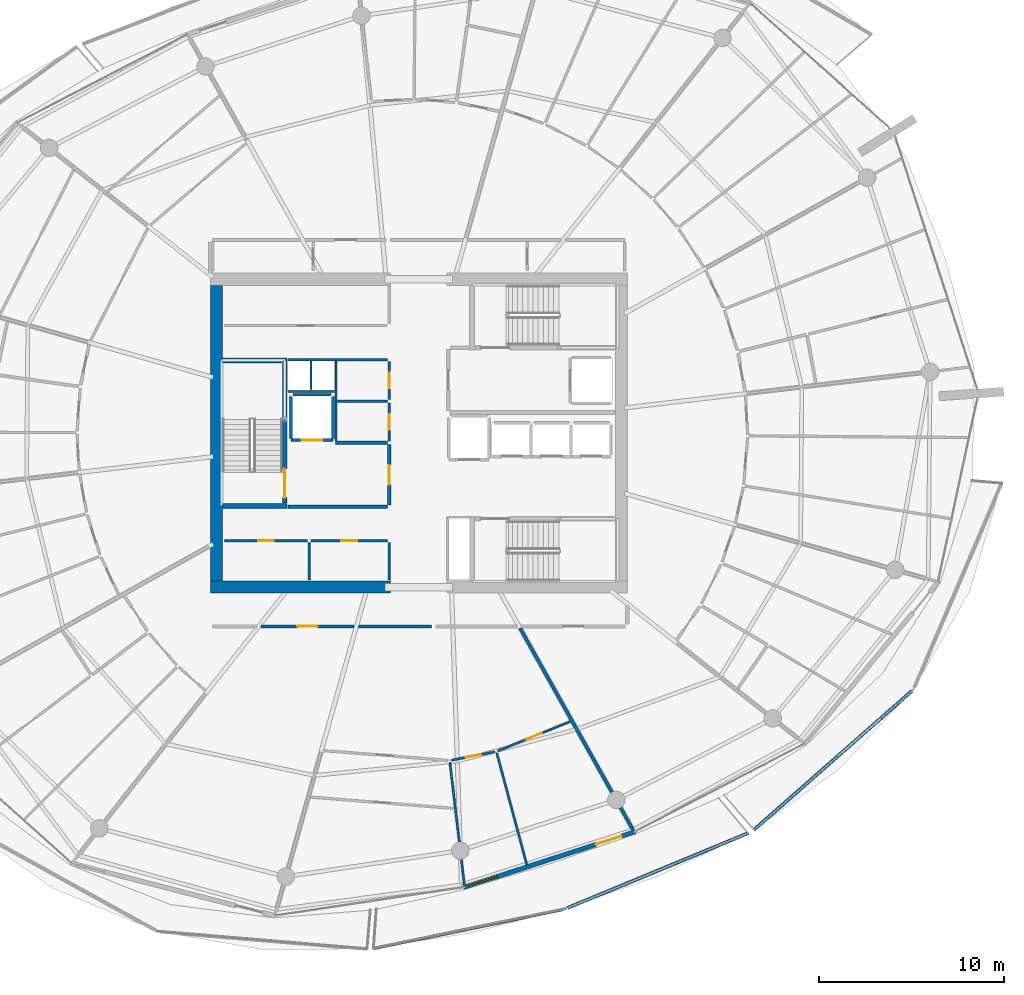
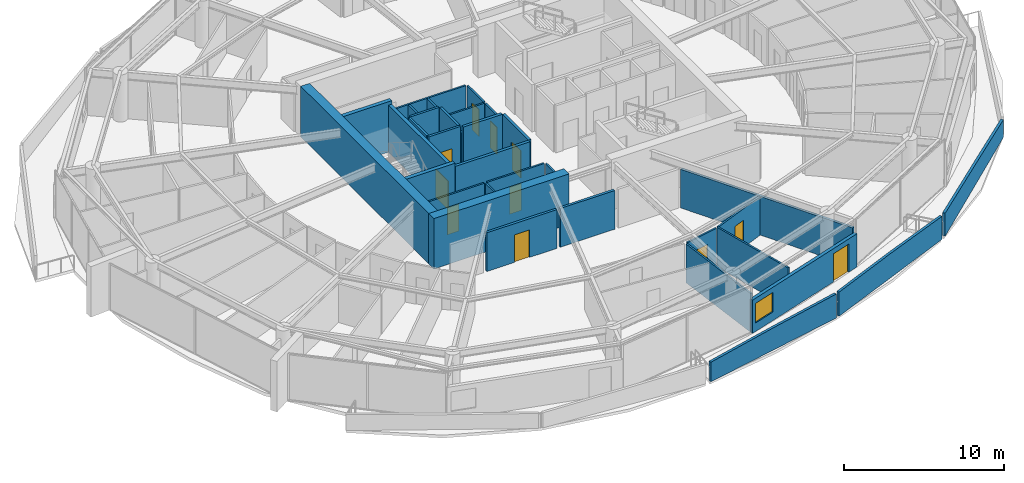
# One storey, part 19 of 31: 34 walls, 11 doors, 1 window, 12 openings.
"""IFC4 building model written with IfcOpenShell, lengths in metres."""

from ifc_helpers import new_model, si_unit, direction, frame, frame_2d, origin, place, context, subcontext, project, spatial, polyline, rectangle, outline, extrude, material, layer, layer_set, type_object, element, fill, save


model = new_model("IFC4")

# Units and contexts
model_context = context("Model", 3, precision=1e-05, world=origin(), true_north=direction((0.0, 1.0)))
body_context = subcontext(model_context, "Body", "Model", "MODEL_VIEW")
ifc_project = project(units=[si_unit("LENGTHUNIT", "METRE"), si_unit("AREAUNIT", "SQUARE_METRE"), si_unit("VOLUMEUNIT", "CUBIC_METRE"), si_unit("PLANEANGLEUNIT", "RADIAN"), si_unit("MASSUNIT", "GRAM", prefix="KILO")], contexts=[model_context])

# Site, building, storey
site_placement = place(None, origin())
site = spatial("IfcSite", under=ifc_project, at=site_placement, CompositionType="ELEMENT")
building_placement = place(site_placement, origin())
building = spatial("IfcBuilding", under=site, at=building_placement, Name="Kazma Halo Residences", CompositionType="ELEMENT")
storey_placement = place(building_placement, frame((0.0, 0.0, 259.800048828125)))
storey = spatial("IfcBuildingStorey", under=building, at=storey_placement, Name="L65", CompositionType="ELEMENT", Elevation=259.800048828125)

# Walls
ifc_material_1 = material(Name="White Concrete C50/60 Balustrade", Category="concrete")
ifc_layer_1 = layer(ifc_material_1, 0.179931640625)
ifc_layer_set_1 = layer_set([ifc_layer_1], Name="White Concrete C50/60 Balustrade")
wall_type_1 = type_object("IfcWallType", Name="WL-BAL-WAVE-180", PredefinedType="PARAPET", material=ifc_layer_set_1)
wall_1_placement = place(storey_placement, frame((45.97900390625, 14.14453125, 0.0), z_axis=(0.0, 0.0, 1.0), x_axis=(0.979472745479, 0.201576637692, 0.0)))
element("IfcWall", 1, at=wall_1_placement, inside=storey, type_object=wall_type_1, Name="L65 white wave balustrade wall SSE.1", PredefinedType="PARAPET", context=body_context, shape_type="SweptSolid", body=[
    extrude(outline(polyline([(0.0, 0.0), (10.475341796875, 0.0), (10.4755859375, 1.83203125), (5.23779296875, 1.696044921875), (0.0, 1.4970703125), (0.0, 0.0)])), frame((0.0, 0.08984375, 0.0), z_axis=(0.0, -1.0, 0.0), x_axis=(1.0, 0.0, 0.0)), (0.0, 0.0, 1.0), 0.179931640625),
])
wall_2_placement = place(storey_placement, frame((56.4677734375, 16.326416015625, 0.0), z_axis=(0.0, 0.0, 1.0), x_axis=(0.92394906856, 0.382515514336, 0.0)))
element("IfcWall", 2, at=wall_2_placement, inside=storey, type_object=wall_type_1, Name="L65 white wave balustrade wall SSE.2", PredefinedType="PARAPET", context=body_context, shape_type="SweptSolid", body=[
    extrude(outline(polyline([(0.0, 0.0), (10.580322265625, 0.0), (10.580322265625, 1.755859375), (5.290283203125, 1.85302734375), (0.0, 1.83203125), (0.0, 0.0)])), frame((0.0, 0.08984375, 0.0), z_axis=(0.0, -1.0, 0.0), x_axis=(1.0, 0.0, 0.0)), (0.0, 0.0, 1.0), 0.179931640625),
])
wall_3_placement = place(storey_placement, frame((66.54833984375, 20.54931640625, 0.0), z_axis=(0.0, 0.0, 1.0), x_axis=(0.750904489888, 0.660410816891, 0.0)))
element("IfcWall", 3, at=wall_3_placement, inside=storey, type_object=wall_type_1, Name="L65 white wave balustrade wall SE.1", PredefinedType="PARAPET", context=body_context, shape_type="SweptSolid", body=[
    extrude(outline(polyline([(0.0, 0.0), (11.385009765625, 0.0), (11.385009765625, 1.347900390625), (5.6923828125, 1.56201171875), (0.0, 1.7470703125), (0.0, 0.0)])), frame((0.0, 0.08984375, 0.0), z_axis=(0.0, -1.0, 0.0), x_axis=(1.0, 0.0, 0.0)), (0.0, 0.0, 1.0), 0.179931640625),
])
ifc_material_2 = material(Name="Concrete C60/75", Category="concrete")
ifc_layer_2 = layer(ifc_material_2, 0.64990234375)
ifc_layer_set_2 = layer_set([ifc_layer_2], Name="Concrete C60/75")
wall_type_2 = type_object("IfcWallType", Name="WL-CORE-650", PredefinedType="SHEAR", material=ifc_layer_set_2)
wall_4_placement = place(storey_placement, frame((37.14990234375, 33.675048828125, 0.0), z_axis=(0.0, 0.0, 1.0), x_axis=(1.0, 0.0, 0.0)))
element("IfcWall", 4, at=wall_4_placement, inside=storey, type_object=wall_type_2, Name="L65 central core shear wall SW", PredefinedType="SHEAR", context=body_context, shape_type="SweptSolid", body=[
    extrude(rectangle(XDim=9.75, YDim=0.64990234375, at=frame_2d((4.875, 0.0))), origin(), (0.0, 0.0, 1.0), 3.849853515625),
])
wall_5_placement = place(storey_placement, frame((37.47509765625, 34.0, 0.0), z_axis=(0.0, 0.0, 1.0), x_axis=(0.0, 1.0, 0.0)))
element("IfcWall", 5, at=wall_5_placement, inside=storey, type_object=wall_type_2, Name="L65 central core shear wall W", PredefinedType="SHEAR", context=body_context, shape_type="SweptSolid", body=[
    extrude(rectangle(XDim=16.0, YDim=0.64990234375, at=frame_2d((8.0, 0.0))), origin(), (0.0, 0.0, 1.0), 3.849853515625),
])
ifc_layer_3 = layer(ifc_material_2, 0.280029296875)
ifc_layer_set_3 = layer_set([ifc_layer_3], Name="Concrete C60/75")
wall_type_3 = type_object("IfcWallType", Name="WL-CORE-ST-280", PredefinedType="SHEAR", material=ifc_layer_set_3)
for number, where, z_axis, x_axis, name in (
    (6, (37.800048828125, 38.06005859375, 0.0), (0.0, 0.0, 1.0), (1.0, 0.0, 0.0), "L65 stairwell bearing wall ST01-S"),
    (7, (37.800048828125, 45.93994140625, 0.0), (0.0, 0.0, 1.0), (1.0, 0.0, 0.0), "L65 stairwell bearing wall ST01-N"),
):
    element("IfcWall", number, at=place(storey_placement, frame(where, z_axis=z_axis, x_axis=x_axis)), inside=storey, type_object=wall_type_3, Name=name, PredefinedType="SHEAR", context=body_context, shape_type="SweptSolid", body=[
        extrude(rectangle(XDim=3.5, YDim=0.280029296875, at=frame_2d((1.75, 0.0))), origin(), (0.0, 0.0, 1.0), 3.849853515625),
    ])
ifc_material_3 = material(Name="Acoustic Twin-Stud Gypsum")
ifc_layer_4 = layer(ifc_material_3, 0.179931640625)
ifc_layer_set_4 = layer_set([ifc_layer_4], Name="Acoustic Twin-Stud Gypsum")
wall_type_4 = type_object("IfcWallType", Name="WL-DEM-180", PredefinedType="PARTITIONING", material=ifc_layer_set_4)
wall_6_placement = place(storey_placement, frame((53.906005859375, 31.4541015625, 0.0), z_axis=(0.0, 0.0, 1.0), x_axis=(0.48862654941, -0.872493034477, 0.0)))
element("IfcWall", 8, at=wall_6_placement, inside=storey, type_object=wall_type_4, Name="L65 apartment demising radial wall 12", PredefinedType="PARTITIONING", context=body_context, shape_type="SweptSolid", body=[
    extrude(rectangle(XDim=12.507568359375, YDim=0.179931640625, at=frame_2d((6.25390625, 0.0))), origin(), (0.0, 0.0, 1.0), 2.95703125),
])

# Wall, opening, door
wall_7_placement = place(storey_placement, frame((39.8818359375, 31.550048828125, 0.0), z_axis=(0.0, 0.0, 1.0), x_axis=(1.0, 0.0, 0.0)))
wall_7 = element("IfcWall", 9, at=wall_7_placement, inside=storey, type_object=wall_type_4, Name="L65 Apartment 2 entrance corridor wall", PredefinedType="PARTITIONING", context=body_context, shape_type="SweptSolid", body=[
    extrude(rectangle(XDim=5.051025390625, YDim=0.179931640625, at=frame_2d((2.525390625, 0.0))), origin(), (0.0, 0.0, 1.0), 2.95703125),
])
opening_1_placement = place(wall_7_placement, frame((1.975341796875, 0.0, 0.0)))
opening_1 = element("IfcOpeningElement", 10, at=opening_1_placement, cuts=wall_7, Name="Opening DA-1100", PredefinedType="OPENING", context=body_context, shape_type="SweptSolid", body=[
    extrude(rectangle(XDim=1.10009765625, YDim=2.10009765625, at=frame_2d((0.550048828125, 1.050048828125))), frame((0.0, 0.099853515625, 0.0), z_axis=(0.0, -1.0, 0.0), x_axis=(1.0, 0.0, 0.0)), (0.0, 0.0, 1.0), 0.199951171875),
])
ifc_material_4 = material(Name="Acoustic Walnut Fire Leaf")
door_type_1 = type_object("IfcDoorType", Name="DR-FD60-1100", OperationType="NOTDEFINED", PredefinedType="DOOR", material=ifc_material_4)
door_1_placement = place(opening_1_placement, origin())
door_1 = element("IfcDoor", 11, at=door_1_placement, inside=storey, type_object=door_type_1, Name="L65 Apartment 2 entrance fire door", OperationType="SINGLE_SWING_RIGHT", OverallHeight=2.10009765625, OverallWidth=1.10009765625, PredefinedType="DOOR", context=body_context, shape_type="SweptSolid", body=[
    extrude(rectangle(XDim=1.10009765625, YDim=2.10009765625, at=frame_2d((0.550048828125, 1.050048828125))), frame((0.0, 0.02490234375, 0.0), z_axis=(0.0, -1.0, 0.0), x_axis=(1.0, 0.0, 0.0)), (0.0, 0.0, 1.0), 0.050048828125),
])
fill(opening_1, door_1)

# Wall
wall_8_placement = place(storey_placement, frame((45.1728515625, 31.550048828125, 0.0), z_axis=(0.0, 0.0, 1.0), x_axis=(1.0, 0.0, 0.0)))
element("IfcWall", 12, at=wall_8_placement, inside=storey, type_object=wall_type_4, Name="L65 Apartment 2 inner wall 10", PredefinedType="PARTITIONING", context=body_context, shape_type="SweptSolid", body=[
    extrude(rectangle(XDim=3.94384765625, YDim=0.179931640625, at=frame_2d((1.971923828125, 0.0))), origin(), (0.0, 0.0, 1.0), 2.95703125),
])

# Wall, openings, door, window
ifc_material_5 = material(Name="Insulated Pale-Metal Composite Wall")
ifc_layer_5 = layer(ifc_material_5, 0.239990234375)
ifc_layer_set_5 = layer_set([ifc_layer_5], Name="Insulated Pale-Metal Composite Wall")
wall_type_5 = type_object("IfcWallType", Name="WL-EXT-HOST-240", PredefinedType="SOLIDWALL", material=ifc_layer_set_5)
wall_9_placement = place(storey_placement, frame((50.85791015625, 17.436279296875, 0.0), z_axis=(0.0, 0.0, 1.0), x_axis=(0.951055974609, 0.309018661507, 0.0)))
wall_9 = element("IfcWall", 13, at=wall_9_placement, inside=storey, type_object=wall_type_5, Name="L65 exterior terrace-access wall B12", PredefinedType="SOLIDWALL", context=body_context, shape_type="SweptSolid", body=[
    extrude(rectangle(XDim=9.745361328125, YDim=0.239990234375, at=frame_2d((4.87255859375, 0.0))), origin(), (0.0, 0.0, 1.0), 2.5400390625),
])
opening_2_placement = place(wall_9_placement, frame((7.525390625, 0.0, 0.0)))
opening_2 = element("IfcOpeningElement", 14, at=opening_2_placement, cuts=wall_9, Name="Opening DTR-1600", PredefinedType="OPENING", context=body_context, shape_type="SweptSolid", body=[
    extrude(rectangle(XDim=1.449951171875, YDim=2.14990234375, at=frame_2d((0.72509765625, 1.074951171875))), frame((0.0, 0.1298828125, 0.0), z_axis=(0.0, -1.0, 0.0), x_axis=(1.0, 0.0, 0.0)), (0.0, 0.0, 1.0), 0.260009765625),
])
opening_3_placement = place(wall_9_placement, frame((0.280029296875, 0.0, 0.64990234375)))
opening_3 = element("IfcOpeningElement", 15, at=opening_3_placement, cuts=wall_9, Name="Opening W-1800", PredefinedType="OPENING", context=body_context, shape_type="SweptSolid", body=[
    extrude(rectangle(XDim=1.60009765625, YDim=1.5, at=frame_2d((0.800048828125, 0.75))), frame((0.0, 0.1298828125, 0.0), z_axis=(0.0, -1.0, 0.0), x_axis=(1.0, 0.0, 0.0)), (0.0, 0.0, 1.0), 0.260009765625),
])
ifc_material_6 = material(Name="Aluminium AW-6063 T6 Double-Glazed Terrace Door", Category="aluminium")
door_type_2 = type_object("IfcDoorType", Name="DR-EXT-TERR-1600", OperationType="NOTDEFINED", PredefinedType="DOOR", material=ifc_material_6)
door_2_placement = place(opening_2_placement, origin())
door_2 = element("IfcDoor", 16, at=door_2_placement, inside=storey, type_object=door_type_2, Name="L65 B12 balcony terrace door", OperationType="DOUBLE_DOOR_SLIDING", OverallHeight=2.14990234375, OverallWidth=1.449951171875, PredefinedType="DOOR", context=body_context, shape_type="SweptSolid", body=[
    extrude(rectangle(XDim=1.449951171875, YDim=2.14990234375, at=frame_2d((0.72509765625, 1.074951171875))), frame((0.0, 0.02490234375, 0.0), z_axis=(0.0, -1.0, 0.0), x_axis=(1.0, 0.0, 0.0)), (0.0, 0.0, 1.0), 0.050048828125),
])
fill(opening_2, door_2)
ifc_material_7 = material(Name="Clear Triple-Silver Low-E Glass in Aluminium AW-6063 T6 Frame", Category="aluminium")
window_type = type_object("IfcWindowType", Name="WIN-RES-1800", PartitioningType="DOUBLE_PANEL_VERTICAL", PredefinedType="WINDOW", material=ifc_material_7)
window_placement = place(opening_3_placement, origin())
window = element("IfcWindow", 17, at=window_placement, inside=storey, type_object=window_type, Name="L65 B12 apartment window", OverallHeight=1.5, OverallWidth=1.60009765625, PartitioningType="SINGLE_PANEL", PredefinedType="WINDOW", context=body_context, shape_type="SweptSolid", body=[
    extrude(rectangle(XDim=1.60009765625, YDim=1.5, at=frame_2d((0.800048828125, 0.75))), frame((0.0, 0.030029296875, 0.0), z_axis=(0.0, -1.0, 0.0), x_axis=(1.0, 0.0, 0.0)), (0.0, 0.0, 1.0), 0.06005859375),
])
fill(opening_3, window)

# Wall, opening, door
ifc_material_8 = material(Name="Fire-Rated Blockwork Masonry", Category="masonry")
ifc_layer_6 = layer(ifc_material_8, 0.199951171875)
ifc_layer_set_6 = layer_set([ifc_layer_6], Name="Fire-Rated Blockwork Masonry")
wall_type_6 = type_object("IfcWallType", Name="WL-FLB-200", PredefinedType="PARTITIONING", material=ifc_layer_set_6)
wall_10_placement = place(storey_placement, frame((43.780029296875, 41.6201171875, 0.0), z_axis=(0.0, 0.0, 1.0), x_axis=(-1.0, 0.0, 0.0)))
wall_10 = element("IfcWall", 18, at=wall_10_placement, inside=storey, type_object=wall_type_6, Name="L65 lift shaft FL-01 front wall", PredefinedType="PARTITIONING", context=body_context, shape_type="SweptSolid", body=[
    extrude(rectangle(XDim=2.260009765625, YDim=0.159912109375, at=frame_2d((1.1298828125, 0.0))), origin(), (0.0, 0.0, 1.0), 3.58984375),
])
opening_4_placement = place(wall_10_placement, frame((0.580078125, 0.0, 0.0)))
opening_4 = element("IfcOpeningElement", 19, at=opening_4_placement, cuts=wall_10, Name="Opening LD-FL-01", PredefinedType="OPENING", context=body_context, shape_type="SweptSolid", body=[
    extrude(rectangle(XDim=1.10009765625, YDim=2.10009765625, at=frame_2d((0.550048828125, 1.050048828125))), frame((0.0, 0.08984375, 0.0), z_axis=(0.0, -1.0, 0.0), x_axis=(1.0, 0.0, 0.0)), (0.0, 0.0, 1.0), 0.179931640625),
])
ifc_material_9 = material(Name="Stainless Steel Fire-Rated", Category="steel")
door_type_3 = type_object("IfcDoorType", Name="DR-LIFT-SLD-1100", OperationType="DOUBLE_DOOR_SLIDING", PredefinedType="DOOR", material=ifc_material_9)
door_3_placement = place(opening_4_placement, origin())
door_3 = element("IfcDoor", 20, at=door_3_placement, inside=storey, type_object=door_type_3, Name="L65 lift FL-01 sliding landing door", OperationType="DOUBLE_DOOR_SLIDING", OverallHeight=2.10009765625, OverallWidth=1.10009765625, PredefinedType="DOOR", context=body_context, shape_type="SweptSolid", body=[
    extrude(rectangle(XDim=1.10009765625, YDim=2.10009765625, at=frame_2d((0.550048828125, 1.050048828125))), frame((0.0, 0.02490234375, 0.0), z_axis=(0.0, -1.0, 0.0), x_axis=(1.0, 0.0, 0.0)), (0.0, 0.0, 1.0), 0.050048828125),
])
fill(opening_4, door_3)

# Walls
for number, where, z_axis, x_axis, name in (
    (21, (43.780029296875, 41.719970703125, 0.0), (0.0, 0.0, 1.0), (0.0, 1.0, 0.0), "L65 lift shaft FL-01 side wall E"),
    (22, (41.52001953125, 41.719970703125, 0.0), (0.0, 0.0, 1.0), (0.0, 1.0, 0.0), "L65 lift shaft FL-01 side wall W"),
):
    element("IfcWall", number, at=place(storey_placement, frame(where, z_axis=z_axis, x_axis=x_axis)), inside=storey, type_object=wall_type_6, Name=name, PredefinedType="PARTITIONING", context=body_context, shape_type="SweptSolid", body=[
        extrude(rectangle(XDim=2.260009765625, YDim=0.159912109375, at=frame_2d((1.1298828125, 0.0))), origin(), (0.0, 0.0, 1.0), 3.58984375),
    ])
wall_11_placement = place(storey_placement, frame((41.6201171875, 44.080078125, 0.0), z_axis=(0.0, 0.0, 1.0), x_axis=(1.0, 0.0, 0.0)))
element("IfcWall", 23, at=wall_11_placement, inside=storey, type_object=wall_type_6, Name="L65 lift shaft FL-01 side wall N", PredefinedType="PARTITIONING", context=body_context, shape_type="SweptSolid", body=[
    extrude(rectangle(XDim=2.059814453125, YDim=0.159912109375, at=frame_2d((1.02978515625, 0.0))), origin(), (0.0, 0.0, 1.0), 3.58984375),
])
wall_12_placement = place(storey_placement, frame((41.35009765625, 38.02001953125, 0.0), z_axis=(0.0, 0.0, 1.0), x_axis=(1.0, 0.0, 0.0)))
element("IfcWall", 24, at=wall_12_placement, inside=storey, type_object=wall_type_6, Name="L65 west firefighting lobby south smoke wall", PredefinedType="PARTITIONING", context=body_context, shape_type="SweptSolid", body=[
    extrude(rectangle(XDim=5.369873046875, YDim=0.199951171875, at=frame_2d((2.68505859375, 0.0))), origin(), (0.0, 0.0, 1.0), 3.58984375),
])
wall_13_placement = place(storey_placement, frame((43.919921875, 41.47998046875, 0.0), z_axis=(0.0, 0.0, 1.0), x_axis=(1.0, 0.0, 0.0)))
element("IfcWall", 25, at=wall_13_placement, inside=storey, type_object=wall_type_6, Name="L65 west firefighting lobby north smoke wall", PredefinedType="PARTITIONING", context=body_context, shape_type="SweptSolid", body=[
    extrude(rectangle(XDim=2.800048828125, YDim=0.199951171875, at=frame_2d((1.39990234375, 0.0))), origin(), (0.0, 0.0, 1.0), 3.58984375),
])

# Wall, opening, door
wall_14_placement = place(storey_placement, frame((46.820068359375, 38.1201171875, 0.0), z_axis=(0.0, 0.0, 1.0), x_axis=(0.0, 1.0, 0.0)))
wall_14 = element("IfcWall", 26, at=wall_14_placement, inside=storey, type_object=wall_type_6, Name="L65 west firefighting lobby smoke wall", PredefinedType="PARTITIONING", context=body_context, shape_type="SweptSolid", body=[
    extrude(rectangle(XDim=3.259765625, YDim=0.199951171875, at=frame_2d((1.6298828125, 0.0))), origin(), (0.0, 0.0, 1.0), 3.58984375),
])
opening_5_placement = place(wall_14_placement, frame((1.10498046875, 0.0, 0.0)))
opening_5 = element("IfcOpeningElement", 27, at=opening_5_placement, cuts=wall_14, Name="Opening D-FLW", PredefinedType="OPENING", context=body_context, shape_type="SweptSolid", body=[
    extrude(rectangle(XDim=1.050048828125, YDim=2.10009765625, at=frame_2d((0.52490234375, 1.050048828125))), frame((0.0, 0.10986328125, 0.0), z_axis=(0.0, -1.0, 0.0), x_axis=(1.0, 0.0, 0.0)), (0.0, 0.0, 1.0), 0.219970703125),
])
ifc_material_10 = material(Name="Fire-Rated Steel Leaf", Category="steel")
door_type_4 = type_object("IfcDoorType", Name="DR-FD90-1050", OperationType="NOTDEFINED", PredefinedType="DOOR", material=ifc_material_10)
door_4_placement = place(opening_5_placement, origin())
door_4 = element("IfcDoor", 28, at=door_4_placement, inside=storey, type_object=door_type_4, Name="L65 west firefighting lobby smoke door", OperationType="SINGLE_SWING_RIGHT", OverallHeight=2.10009765625, OverallWidth=1.050048828125, PredefinedType="DOOR", context=body_context, shape_type="SweptSolid", body=[
    extrude(rectangle(XDim=1.050048828125, YDim=2.10009765625, at=frame_2d((0.52490234375, 1.050048828125))), frame((0.0, 0.02490234375, 0.0), z_axis=(0.0, -1.0, 0.0), x_axis=(1.0, 0.0, 0.0)), (0.0, 0.0, 1.0), 0.050048828125),
])
fill(opening_5, door_4)

# Walls
ifc_material_11 = material(Name="Gypsum Plasterboard Partition")
ifc_layer_7 = layer(ifc_material_11, 0.125)
ifc_layer_set_7 = layer_set([ifc_layer_7], Name="Gypsum Plasterboard Partition")
wall_type_7 = type_object("IfcWallType", Name="WL-PART-125", PredefinedType="PARTITIONING", material=ifc_layer_set_7)
for number, where, z_axis, x_axis, name in (
    (29, (46.820068359375, 34.050048828125, 0.0), (0.0, 0.0, 1.0), (0.0, 1.0, 0.0), "L65 reclaimed south east wall"),
    (30, (42.5, 34.050048828125, 0.0), (0.0, 0.0, 1.0), (0.0, 1.0, 0.0), "L65 reclaimed south divider wall"),
):
    element("IfcWall", number, at=place(storey_placement, frame(where, z_axis=z_axis, x_axis=x_axis)), inside=storey, type_object=wall_type_7, Name=name, PredefinedType="PARTITIONING", context=body_context, shape_type="SweptSolid", body=[
        extrude(rectangle(XDim=2.030029296875, YDim=0.125, at=frame_2d((1.01513671875, 0.0))), origin(), (0.0, 0.0, 1.0), 3.030029296875),
    ])

# Wall, opening, door
wall_15_placement = place(storey_placement, frame((37.919921875, 36.179931640625, 0.0), z_axis=(0.0, 0.0, 1.0), x_axis=(1.0, 0.0, 0.0)))
wall_15 = element("IfcWall", 31, at=wall_15_placement, inside=storey, type_object=wall_type_7, Name="L65 reclaimed south W front wall", PredefinedType="PARTITIONING", context=body_context, shape_type="SweptSolid", body=[
    extrude(rectangle(XDim=4.47998046875, YDim=0.125, at=frame_2d((2.239990234375, 0.0))), origin(), (0.0, 0.0, 1.0), 3.030029296875),
])
opening_6_placement = place(wall_15_placement, frame((1.81494140625, 0.0, 0.0)))
opening_6 = element("IfcOpeningElement", 32, at=opening_6_placement, cuts=wall_15, Name="Opening DS-850", PredefinedType="OPENING", context=body_context, shape_type="SweptSolid", body=[
    extrude(rectangle(XDim=0.85009765625, YDim=2.06005859375, at=frame_2d((0.425048828125, 1.030029296875))), frame((0.0, 0.072509765625, 0.0), z_axis=(0.0, -1.0, 0.0), x_axis=(1.0, 0.0, 0.0)), (0.0, 0.0, 1.0), 0.14501953125),
])
ifc_material_12 = material(Name="Painted Steel Access Leaf", Category="steel")
door_type_5 = type_object("IfcDoorType", Name="DR-SVC-850", OperationType="NOTDEFINED", PredefinedType="DOOR", material=ifc_material_12)
door_5_placement = place(opening_6_placement, origin())
door_5 = element("IfcDoor", 33, at=door_5_placement, inside=storey, type_object=door_type_5, Name="L65 reclaimed south W door", OperationType="SINGLE_SWING_RIGHT", OverallHeight=2.06005859375, OverallWidth=0.85009765625, PredefinedType="DOOR", context=body_context, shape_type="SweptSolid", body=[
    extrude(rectangle(XDim=0.85009765625, YDim=2.06005859375, at=frame_2d((0.425048828125, 1.030029296875))), frame((0.0, 0.02490234375, 0.0), z_axis=(0.0, -1.0, 0.0), x_axis=(1.0, 0.0, 0.0)), (0.0, 0.0, 1.0), 0.050048828125),
])
fill(opening_6, door_5)

wall_16_placement = place(storey_placement, frame((42.60009765625, 36.179931640625, 0.0), z_axis=(0.0, 0.0, 1.0), x_axis=(1.0, 0.0, 0.0)))
wall_16 = element("IfcWall", 34, at=wall_16_placement, inside=storey, type_object=wall_type_7, Name="L65 reclaimed south E front wall", PredefinedType="PARTITIONING", context=body_context, shape_type="SweptSolid", body=[
    extrude(rectangle(XDim=4.119873046875, YDim=0.125, at=frame_2d((2.06005859375, 0.0))), origin(), (0.0, 0.0, 1.0), 3.030029296875),
])
opening_7_placement = place(wall_16_placement, frame((1.635009765625, 0.0, 0.0)))
opening_7 = element("IfcOpeningElement", 35, at=opening_7_placement, cuts=wall_16, Name="Opening DS-850", PredefinedType="OPENING", context=body_context, shape_type="SweptSolid", body=[
    extrude(rectangle(XDim=0.85009765625, YDim=2.06005859375, at=frame_2d((0.425048828125, 1.030029296875))), frame((0.0, 0.072509765625, 0.0), z_axis=(0.0, -1.0, 0.0), x_axis=(1.0, 0.0, 0.0)), (0.0, 0.0, 1.0), 0.14501953125),
])
door_6_placement = place(opening_7_placement, origin())
door_6 = element("IfcDoor", 36, at=door_6_placement, inside=storey, type_object=door_type_5, Name="L65 reclaimed south E door", OperationType="SINGLE_SWING_LEFT", OverallHeight=2.06005859375, OverallWidth=0.85009765625, PredefinedType="DOOR", context=body_context, shape_type="SweptSolid", body=[
    extrude(rectangle(XDim=0.85009765625, YDim=2.06005859375, at=frame_2d((0.425048828125, 1.030029296875))), frame((0.0, 0.02490234375, 0.0), z_axis=(0.0, -1.0, 0.0), x_axis=(1.0, 0.0, 0.0)), (0.0, 0.0, 1.0), 0.050048828125),
])
fill(opening_7, door_6)

# Walls
wall_17_placement = place(storey_placement, frame((41.360107421875, 45.97998046875, 0.0), z_axis=(0.0, 0.0, 1.0), x_axis=(1.0, 0.0, 0.0)))
element("IfcWall", 37, at=wall_17_placement, inside=storey, type_object=wall_type_7, Name="L65 core north riser wall", PredefinedType="PARTITIONING", context=body_context, shape_type="SweptSolid", body=[
    extrude(rectangle(XDim=5.35986328125, YDim=0.125, at=frame_2d((2.679931640625, 0.0))), origin(), (0.0, 0.0, 1.0), 3.030029296875),
])
wall_18_placement = place(storey_placement, frame((41.360107421875, 44.260009765625, 0.0), z_axis=(0.0, 0.0, 1.0), x_axis=(1.0, 0.0, 0.0)))
element("IfcWall", 38, at=wall_18_placement, inside=storey, type_object=wall_type_7, Name="L65 core riser south wall", PredefinedType="PARTITIONING", context=body_context, shape_type="SweptSolid", body=[
    extrude(rectangle(XDim=2.5, YDim=0.125, at=frame_2d((1.25, 0.0))), origin(), (0.0, 0.0, 1.0), 3.030029296875),
])
wall_19_placement = place(storey_placement, frame((42.60009765625, 44.35009765625, 0.0), z_axis=(0.0, 0.0, 1.0), x_axis=(0.0, 1.0, 0.0)))
element("IfcWall", 39, at=wall_19_placement, inside=storey, type_object=wall_type_7, Name="L65 core riser divider wall", PredefinedType="PARTITIONING", context=body_context, shape_type="SweptSolid", body=[
    extrude(rectangle(XDim=1.5498046875, YDim=0.125, at=frame_2d((0.77490234375, 0.0))), origin(), (0.0, 0.0, 1.0), 3.030029296875),
])
wall_20_placement = place(storey_placement, frame((43.949951171875, 41.580078125, 0.0), z_axis=(0.0, 0.0, 1.0), x_axis=(0.0, 1.0, 0.0)))
element("IfcWall", 40, at=wall_20_placement, inside=storey, type_object=wall_type_7, Name="L65 core service west wall", PredefinedType="PARTITIONING", context=body_context, shape_type="SweptSolid", body=[
    extrude(rectangle(XDim=4.31982421875, YDim=0.125, at=frame_2d((2.159912109375, 0.0))), origin(), (0.0, 0.0, 1.0), 3.030029296875),
])
wall_21_placement = place(storey_placement, frame((44.030029296875, 43.72998046875, 0.0), z_axis=(0.0, 0.0, 1.0), x_axis=(1.0, 0.0, 0.0)))
element("IfcWall", 41, at=wall_21_placement, inside=storey, type_object=wall_type_7, Name="L65 switch/IDF divider", PredefinedType="PARTITIONING", context=body_context, shape_type="SweptSolid", body=[
    extrude(rectangle(XDim=2.7099609375, YDim=0.125, at=frame_2d((1.35498046875, 0.0))), origin(), (0.0, 0.0, 1.0), 3.030029296875),
])

# Wall, opening, door
wall_22_placement = place(storey_placement, frame((46.820068359375, 41.580078125, 0.0), z_axis=(0.0, 0.0, 1.0), x_axis=(0.0, 1.0, 0.0)))
wall_22 = element("IfcWall", 42, at=wall_22_placement, inside=storey, type_object=wall_type_7, Name="L65 electrical switch room east wall", PredefinedType="PARTITIONING", context=body_context, shape_type="SweptSolid", body=[
    extrude(rectangle(XDim=2.0498046875, YDim=0.125, at=frame_2d((1.02490234375, 0.0))), origin(), (0.0, 0.0, 1.0), 3.030029296875),
])
opening_8_placement = place(wall_22_placement, frame((0.60009765625, 0.0, 0.0)))
opening_8 = element("IfcOpeningElement", 43, at=opening_8_placement, cuts=wall_22, Name="Opening DS-850", PredefinedType="OPENING", context=body_context, shape_type="SweptSolid", body=[
    extrude(rectangle(XDim=0.85009765625, YDim=2.06005859375, at=frame_2d((0.425048828125, 1.030029296875))), frame((0.0, 0.072509765625, 0.0), z_axis=(0.0, -1.0, 0.0), x_axis=(1.0, 0.0, 0.0)), (0.0, 0.0, 1.0), 0.14501953125),
])
door_7_placement = place(opening_8_placement, origin())
door_7 = element("IfcDoor", 44, at=door_7_placement, inside=storey, type_object=door_type_5, Name="L65 electrical switch room door", OperationType="SINGLE_SWING_RIGHT", OverallHeight=2.06005859375, OverallWidth=0.85009765625, PredefinedType="DOOR", context=body_context, shape_type="SweptSolid", body=[
    extrude(rectangle(XDim=0.85009765625, YDim=2.06005859375, at=frame_2d((0.425048828125, 1.030029296875))), frame((0.0, 0.02490234375, 0.0), z_axis=(0.0, -1.0, 0.0), x_axis=(1.0, 0.0, 0.0)), (0.0, 0.0, 1.0), 0.050048828125),
])
fill(opening_8, door_7)

wall_23_placement = place(storey_placement, frame((46.820068359375, 43.830078125, 0.0), z_axis=(0.0, 0.0, 1.0), x_axis=(0.0, 1.0, 0.0)))
wall_23 = element("IfcWall", 45, at=wall_23_placement, inside=storey, type_object=wall_type_7, Name="L65 telecom IDF room east wall", PredefinedType="PARTITIONING", context=body_context, shape_type="SweptSolid", body=[
    extrude(rectangle(XDim=2.0498046875, YDim=0.125, at=frame_2d((1.02490234375, 0.0))), origin(), (0.0, 0.0, 1.0), 3.030029296875),
])
opening_9_placement = place(wall_23_placement, frame((0.60009765625, 0.0, 0.0)))
opening_9 = element("IfcOpeningElement", 46, at=opening_9_placement, cuts=wall_23, Name="Opening DS-850", PredefinedType="OPENING", context=body_context, shape_type="SweptSolid", body=[
    extrude(rectangle(XDim=0.85009765625, YDim=2.06005859375, at=frame_2d((0.425048828125, 1.030029296875))), frame((0.0, 0.072509765625, 0.0), z_axis=(0.0, -1.0, 0.0), x_axis=(1.0, 0.0, 0.0)), (0.0, 0.0, 1.0), 0.14501953125),
])
door_8_placement = place(opening_9_placement, origin())
door_8 = element("IfcDoor", 47, at=door_8_placement, inside=storey, type_object=door_type_5, Name="L65 telecom IDF room door", OperationType="SINGLE_SWING_LEFT", OverallHeight=2.06005859375, OverallWidth=0.85009765625, PredefinedType="DOOR", context=body_context, shape_type="SweptSolid", body=[
    extrude(rectangle(XDim=0.85009765625, YDim=2.06005859375, at=frame_2d((0.425048828125, 1.030029296875))), frame((0.0, 0.02490234375, 0.0), z_axis=(0.0, -1.0, 0.0), x_axis=(1.0, 0.0, 0.0)), (0.0, 0.0, 1.0), 0.050048828125),
])
fill(opening_9, door_8)

# Walls
wall_24_placement = place(storey_placement, frame((50.106689453125, 24.2001953125, 0.0), z_axis=(0.0, 0.0, 1.0), x_axis=(0.117552553428, -0.99306666301, 0.0)))
element("IfcWall", 48, at=wall_24_placement, inside=storey, type_object=wall_type_7, Name="L65 Apartment 2 radial partition 11", PredefinedType="PARTITIONING", context=body_context, shape_type="SweptSolid", body=[
    extrude(rectangle(XDim=6.7705078125, YDim=0.125, at=frame_2d((3.38525390625, 0.0))), origin(), (0.0, 0.0, 1.0), 2.95703125),
])
wall_25_placement = place(storey_placement, frame((52.6455078125, 24.698974609375, 0.0), z_axis=(0.0, 0.0, 1.0), x_axis=(0.259313772229, -0.965793128746, 0.0)))
element("IfcWall", 49, at=wall_25_placement, inside=storey, type_object=wall_type_7, Name="L65 Apartment 2 mid-bay wall 11", PredefinedType="PARTITIONING", context=body_context, shape_type="SweptSolid", body=[
    extrude(rectangle(XDim=6.23828125, YDim=0.125, at=frame_2d((3.119140625, 0.0))), origin(), (0.0, 0.0, 1.0), 3.030029296875),
])

# Wall, opening, door
wall_26_placement = place(storey_placement, frame((50.193115234375, 24.318359375, 0.0), z_axis=(0.0, 0.0, 1.0), x_axis=(0.981978792413, 0.188991140667, 0.0)))
wall_26 = element("IfcWall", 50, at=wall_26_placement, inside=storey, type_object=wall_type_7, Name="L65 Apartment 2 North Wine Pantry Store hall wall", PredefinedType="PARTITIONING", context=body_context, shape_type="SweptSolid", body=[
    extrude(rectangle(XDim=2.393798828125, YDim=0.125, at=frame_2d((1.19677734375, 0.0))), origin(), (0.0, 0.0, 1.0), 2.95703125),
])
opening_10_placement = place(wall_26_placement, frame((0.771728515625, 0.0, 0.0)))
opening_10 = element("IfcOpeningElement", 51, at=opening_10_placement, cuts=wall_26, Name="Opening DB-900", PredefinedType="OPENING", context=body_context, shape_type="SweptSolid", body=[
    extrude(rectangle(XDim=0.85009765625, YDim=2.06005859375, at=frame_2d((0.425048828125, 1.030029296875))), frame((0.0, 0.072509765625, 0.0), z_axis=(0.0, -1.0, 0.0), x_axis=(1.0, 0.0, 0.0)), (0.0, 0.0, 1.0), 0.14501953125),
])
ifc_material_13 = material(Name="Moisture-Sealed Timber Leaf", Category="wood")
door_type_6 = type_object("IfcDoorType", Name="DR-BTH-900", OperationType="NOTDEFINED", PredefinedType="DOOR", material=ifc_material_13)
door_9_placement = place(opening_10_placement, origin())
door_9 = element("IfcDoor", 52, at=door_9_placement, inside=storey, type_object=door_type_6, Name="L65 Apartment 2 North Wine Pantry Store door", OperationType="SINGLE_SWING_LEFT", OverallHeight=2.06005859375, OverallWidth=0.85009765625, PredefinedType="DOOR", context=body_context, shape_type="SweptSolid", body=[
    extrude(rectangle(XDim=0.85009765625, YDim=2.06005859375, at=frame_2d((0.425048828125, 1.030029296875))), frame((0.0, 0.02490234375, 0.0), z_axis=(0.0, -1.0, 0.0), x_axis=(1.0, 0.0, 0.0)), (0.0, 0.0, 1.0), 0.050048828125),
])
fill(opening_10, door_9)

wall_27_placement = place(storey_placement, frame((52.6962890625, 24.81591796875, 0.0), z_axis=(0.0, 0.0, 1.0), x_axis=(0.926276631798, 0.376844266754, 0.0)))
wall_27 = element("IfcWall", 53, at=wall_27_placement, inside=storey, type_object=wall_type_7, Name="L65 Apartment 2 South Formal Dining Room hall wall", PredefinedType="PARTITIONING", context=body_context, shape_type="SweptSolid", body=[
    extrude(rectangle(XDim=4.232421875, YDim=0.125, at=frame_2d((2.1162109375, 0.0))), origin(), (0.0, 0.0, 1.0), 2.95703125),
])
opening_11_placement = place(wall_27_placement, frame((1.666259765625, 0.0, 0.0)))
opening_11 = element("IfcOpeningElement", 54, at=opening_11_placement, cuts=wall_27, Name="Opening DI-950", PredefinedType="OPENING", context=body_context, shape_type="SweptSolid", body=[
    extrude(rectangle(XDim=0.89990234375, YDim=2.080078125, at=frame_2d((0.449951171875, 1.0400390625))), frame((0.0, 0.072509765625, 0.0), z_axis=(0.0, -1.0, 0.0), x_axis=(1.0, 0.0, 0.0)), (0.0, 0.0, 1.0), 0.14501953125),
])
ifc_material_14 = material(Name="Timber Veneer Flush Leaf", Category="wood")
door_type_7 = type_object("IfcDoorType", Name="DR-INT-950", OperationType="NOTDEFINED", PredefinedType="DOOR", material=ifc_material_14)
door_10_placement = place(opening_11_placement, origin())
door_10 = element("IfcDoor", 55, at=door_10_placement, inside=storey, type_object=door_type_7, Name="L65 Apartment 2 South Formal Dining Room door", OperationType="SINGLE_SWING_RIGHT", OverallHeight=2.080078125, OverallWidth=0.89990234375, PredefinedType="DOOR", context=body_context, shape_type="SweptSolid", body=[
    extrude(rectangle(XDim=0.89990234375, YDim=2.080078125, at=frame_2d((0.449951171875, 1.0400390625))), frame((0.0, 0.02490234375, 0.0), z_axis=(0.0, -1.0, 0.0), x_axis=(1.0, 0.0, 0.0)), (0.0, 0.0, 1.0), 0.050048828125),
])
fill(opening_11, door_10)

ifc_material_15 = material(Name="Concrete C50/60", Category="concrete")
ifc_layer_8 = layer(ifc_material_15, 0.25)
ifc_layer_set_8 = layer_set([ifc_layer_8], Name="Concrete C50/60")
wall_type_8 = type_object("IfcWallType", Name="WL-SHF-250", PredefinedType="SOLIDWALL", material=ifc_layer_set_8)
wall_28_placement = place(storey_placement, frame((41.179931640625, 38.219970703125, 0.0), z_axis=(0.0, 0.0, 1.0), x_axis=(0.0, 1.0, 0.0)))
wall_28 = element("IfcWall", 56, at=wall_28_placement, inside=storey, type_object=wall_type_8, Name="L65 exit stair ST-01 enclosure wall", PredefinedType="SOLIDWALL", context=body_context, shape_type="SweptSolid", body=[
    extrude(rectangle(XDim=7.56005859375, YDim=0.25, at=frame_2d((3.780029296875, 0.0))), origin(), (0.0, 0.0, 1.0), 3.58984375),
])
opening_12_placement = place(wall_28_placement, frame((0.300048828125, 0.0, 0.0)))
opening_12 = element("IfcOpeningElement", 57, at=opening_12_placement, cuts=wall_28, Name="Opening D-ST1", PredefinedType="OPENING", context=body_context, shape_type="SweptSolid", body=[
    extrude(rectangle(XDim=1.550048828125, YDim=2.14990234375, at=frame_2d((0.77490234375, 1.074951171875))), frame((0.0, 0.135009765625, 0.0), z_axis=(0.0, -1.0, 0.0), x_axis=(1.0, 0.0, 0.0)), (0.0, 0.0, 1.0), 0.27001953125),
])
ifc_material_16 = material(Name="Fire-Rated Double Steel Leaf", Category="steel")
door_type_8 = type_object("IfcDoorType", Name="DR-FD90-1550", OperationType="NOTDEFINED", PredefinedType="DOOR", material=ifc_material_16)
door_11_placement = place(opening_12_placement, origin())
door_11 = element("IfcDoor", 58, at=door_11_placement, inside=storey, type_object=door_type_8, Name="L65 exit stair ST-01 fire door", OperationType="DOUBLE_DOOR_SINGLE_SWING", OverallHeight=2.14990234375, OverallWidth=1.550048828125, PredefinedType="DOOR", context=body_context, shape_type="SweptSolid", body=[
    extrude(rectangle(XDim=1.550048828125, YDim=2.14990234375, at=frame_2d((0.77490234375, 1.074951171875))), frame((0.0, 0.02490234375, 0.0), z_axis=(0.0, -1.0, 0.0), x_axis=(1.0, 0.0, 0.0)), (0.0, 0.0, 1.0), 0.050048828125),
])
fill(opening_12, door_11)

save(model, "model.ifc")
